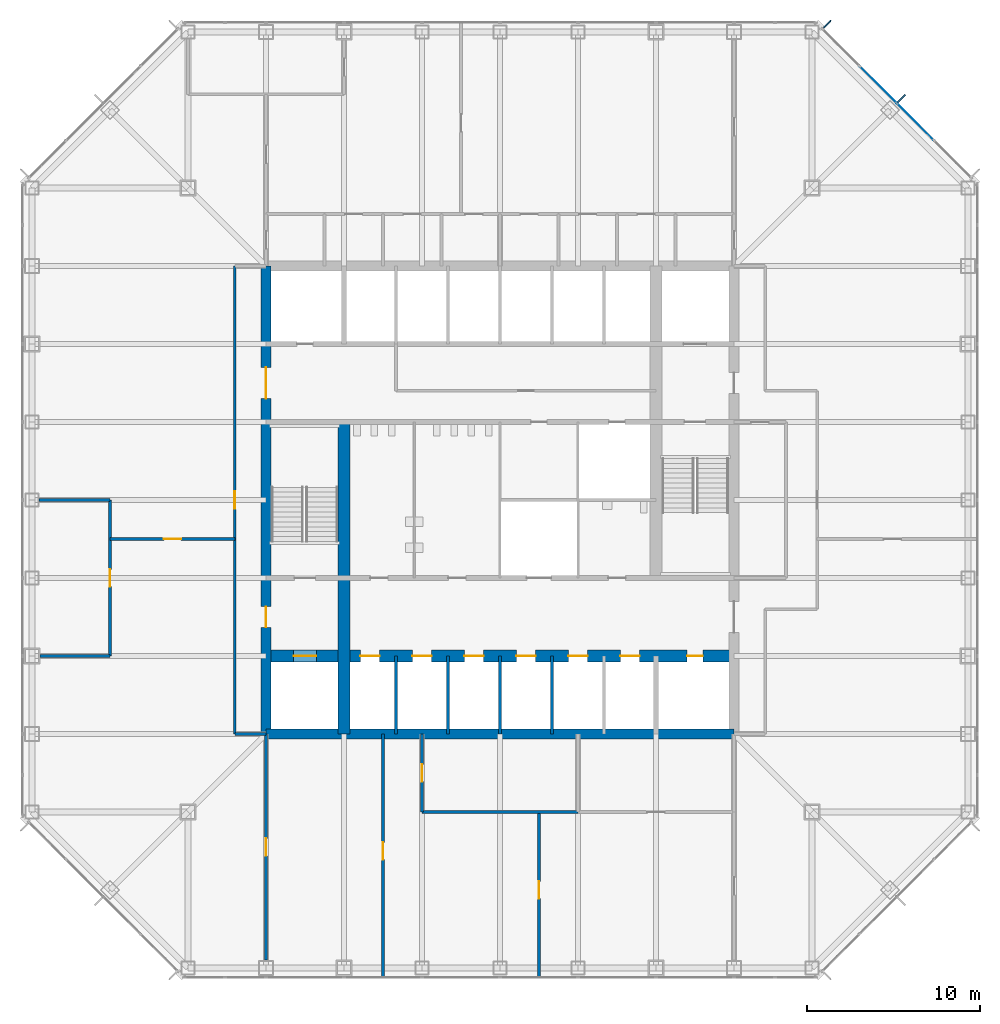
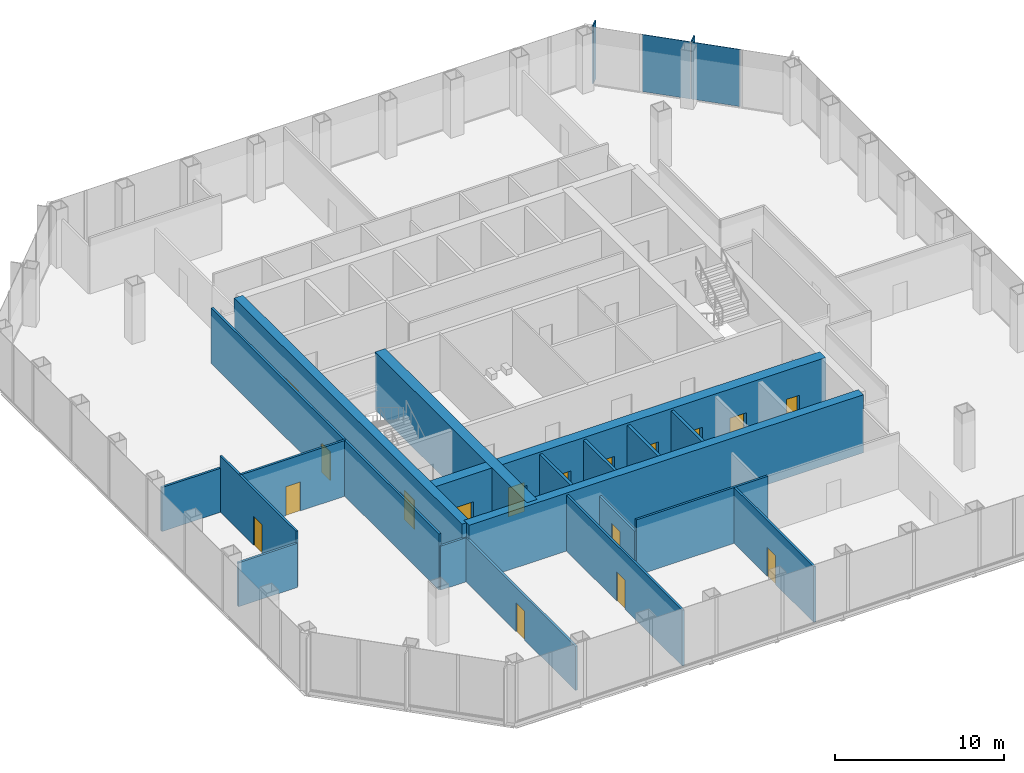
# One storey, part 8 of 13: 19 walls, 17 doors, 4 plates, 17 openings, 1 element without a shape of its own.
"""IFC4 building model written with IfcOpenShell, lengths in metres."""

from ifc_helpers import new_model, si_unit, direction, frame, frame_2d, origin, origin_2d, place, context, subcontext, project, spatial, rectangle, extrude, material, layer, layer_set, type_object, element, fill, aggregate, save


model = new_model("IFC4")

# Units and contexts
model_context = context("Model", 3, precision=1e-05, world=origin(), true_north=direction((0.0, 1.0)))
body_context = subcontext(model_context, "Body", "Model", "MODEL_VIEW")
ifc_project = project(units=[si_unit("LENGTHUNIT", "METRE"), si_unit("AREAUNIT", "SQUARE_METRE"), si_unit("VOLUMEUNIT", "CUBIC_METRE"), si_unit("PLANEANGLEUNIT", "RADIAN"), si_unit("MASSUNIT", "GRAM", prefix="KILO")], contexts=[model_context])

# Site, building, storey
site_placement = place(None, origin())
site = spatial("IfcSite", under=ifc_project, at=site_placement, CompositionType="ELEMENT")
building_placement = place(site_placement, origin())
building = spatial("IfcBuilding", under=site, at=building_placement, Name="Corais Broadcast Tower", CompositionType="ELEMENT")
storey_placement = place(building_placement, frame((0.0, 0.0, 66.800048828125)))
storey = spatial("IfcBuildingStorey", under=building, at=storey_placement, Name="L14", CompositionType="ELEMENT", Elevation=66.800048828125)

# Curtain wall, plates
ifc_material_1 = material(Name="Aluminium and glass", Category="aluminium")
curtain_wall_type = type_object("IfcCurtainWallType", Name="Unitised fritted curtain wall CW1", PredefinedType="NOTDEFINED", material=ifc_material_1)
curtain_wall_placement = place(storey_placement, origin())
curtain_wall = element("IfcCurtainWall", 1, at=curtain_wall_placement, inside=storey, type_object=curtain_wall_type, Name="CW1 curtain wall L14 5", PredefinedType="NOTDEFINED")
ifc_material_2 = material(Name="Ceramic-fritted laminated glass", Category="glass")
ifc_layer_1 = layer(ifc_material_2, 0.030029296875)
ifc_layer_set_1 = layer_set([ifc_layer_1], Name="Ceramic-fritted laminated glass")
plate_type_1 = type_object("IfcPlateType", Name="Fritted glass panel CW1", PredefinedType="CURTAIN_PANEL", material=ifc_layer_set_1)
plate_1_placement = place(storey_placement, frame((50.9658203125, 48.81201171875, 0.06494140625), z_axis=(0.0, 0.0, 1.0), x_axis=(0.707106781187, -0.707106781187, 0.0)))
plate_1 = element("IfcPlate", 2, at=plate_1_placement, type_object=plate_type_1, Name="CW1 panel 3", PredefinedType="CURTAIN_PANEL", context=body_context, shape_type="SweptSolid", body=[
    extrude(rectangle(XDim=2.98095703125, YDim=0.030029296875, at=origin_2d()), origin(), (0.0, 0.0, 1.0), 4.135009765625),
])
ifc_material_3 = material(Name="Clear laminated glass", Category="glass")
ifc_layer_2 = layer(ifc_material_3, 0.033935546875)
ifc_layer_set_2 = layer_set([ifc_layer_2], Name="Clear laminated glass")
plate_type_2 = type_object("IfcPlateType", Name="Operable glass panel CW1", PredefinedType="CURTAIN_PANEL", material=ifc_layer_set_2)
plate_2_placement = place(storey_placement, frame((48.81201171875, 50.9658203125, 0.06494140625), z_axis=(0.0, 0.0, 1.0), x_axis=(0.707106781187, -0.707106781187, 0.0)))
plate_2 = element("IfcPlate", 3, at=plate_2_placement, type_object=plate_type_2, Name="CW1 operable panel 2", PredefinedType="CURTAIN_PANEL", context=body_context, shape_type="SweptSolid", body=[
    extrude(rectangle(XDim=2.98095703125, YDim=0.033935546875, at=origin_2d()), origin(), (0.0, 0.0, 1.0), 4.135009765625),
])
aggregate(curtain_wall, [plate_2, plate_1])

# Plates
ifc_material_4 = material(Name="Granite stone cladding", Category="masonry")
ifc_layer_3 = layer(ifc_material_4, 0.080078125)
ifc_layer_set_3 = layer_set([ifc_layer_3], Name="Granite stone cladding")
plate_type_3 = type_object("IfcPlateType", Name="Stone screen fin 80x600", PredefinedType="USERDEFINED", material=ifc_layer_set_3)
for number, where, z_axis, x_axis, name in (
    (4, (45.885009765625, 54.4541015625, 0.0), (0.0, 0.0, 1.0), (0.707106781187, -0.707106781187, 0.0), "SF1 stone screen fin L14"),
    (5, (50.169677734375, 50.169677734375, 0.0), (0.0, 0.0, 1.0), (0.707106781187, -0.707106781187, 0.0), "SF1 stone screen fin L14"),
):
    element("IfcPlate", number, at=place(storey_placement, frame(where, z_axis=z_axis, x_axis=x_axis)), inside=storey, type_object=plate_type_3, Name=name, ObjectType="STONE SCREEN FIN", PredefinedType="USERDEFINED", context=body_context, shape_type="SweptSolid", body=[
        extrude(rectangle(XDim=0.080078125, YDim=0.60009765625, at=origin_2d()), origin(), (0.0, 0.0, 1.0), 4.199951171875),
    ])

# Wall
ifc_material_5 = material(Name="Concrete C50/60", Category="concrete")
ifc_layer_4 = layer(ifc_material_5, 0.699951171875)
ifc_layer_set_4 = layer_set([ifc_layer_4], Name="Concrete C50/60")
wall_type_1 = type_object("IfcWallType", Name="Core spine wall 700", PredefinedType="SHEAR", material=ifc_layer_set_4)
wall_1_placement = place(storey_placement, frame((18.0, 13.5, 0.0), z_axis=(0.0, 0.0, 1.0), x_axis=(0.0, 1.0, 0.0)))
element("IfcWall", 6, at=wall_1_placement, inside=storey, type_object=wall_type_1, Name="CR700 core wall X18A L14", PredefinedType="SHEAR", context=body_context, shape_type="SweptSolid", body=[
    extrude(rectangle(XDim=18.0, YDim=0.699951171875, at=frame_2d((9.0, 0.0))), origin(), (0.0, 0.0, 1.0), 4.199951171875),
])

# Wall, openings, doors
wall_2_placement = place(storey_placement, frame((13.5, 18.0, 0.0), z_axis=(0.0, 0.0, 1.0), x_axis=(1.0, 0.0, 0.0)))
wall_2 = element("IfcWall", 7, at=wall_2_placement, inside=storey, type_object=wall_type_1, Name="CR700 core wall Y18 L14", PredefinedType="SHEAR", context=body_context, shape_type="SweptSolid", body=[
    extrude(rectangle(XDim=27.0, YDim=0.699951171875, at=frame_2d((13.5, 0.0))), origin(), (0.0, 0.0, 1.0), 4.199951171875),
])
opening_1_placement = place(wall_2_placement, frame((24.300048828125, 0.0, 0.0)))
opening_1 = element("IfcOpeningElement", 8, at=opening_1_placement, cuts=wall_2, Name="Opening RD1", PredefinedType="OPENING", context=body_context, shape_type="SweptSolid", body=[
    extrude(rectangle(XDim=0.89990234375, YDim=2.10009765625, at=frame_2d((0.449951171875, 1.050048828125))), frame((0.0, 0.35986328125, 0.0), z_axis=(0.0, -1.0, 0.0), x_axis=(1.0, 0.0, 0.0)), (0.0, 0.0, 1.0), 0.719970703125),
])
opening_2_placement = place(wall_2_placement, frame((5.449951171875, 0.0, 0.0)))
opening_2 = element("IfcOpeningElement", 9, at=opening_2_placement, cuts=wall_2, Name="Opening LD1", PredefinedType="OPENING", context=body_context, shape_type="SweptSolid", body=[
    extrude(rectangle(XDim=1.10009765625, YDim=2.10009765625, at=frame_2d((0.550048828125, 1.050048828125))), frame((0.0, 0.35986328125, 0.0), z_axis=(0.0, -1.0, 0.0), x_axis=(1.0, 0.0, 0.0)), (0.0, 0.0, 1.0), 0.719970703125),
])
opening_3_placement = place(wall_2_placement, frame((8.449951171875, 0.0, 0.0)))
opening_3 = element("IfcOpeningElement", 10, at=opening_3_placement, cuts=wall_2, Name="Opening LD1", PredefinedType="OPENING", context=body_context, shape_type="SweptSolid", body=[
    extrude(rectangle(XDim=1.10009765625, YDim=2.10009765625, at=frame_2d((0.550048828125, 1.050048828125))), frame((0.0, 0.35986328125, 0.0), z_axis=(0.0, -1.0, 0.0), x_axis=(1.0, 0.0, 0.0)), (0.0, 0.0, 1.0), 0.719970703125),
])
opening_4_placement = place(wall_2_placement, frame((11.449951171875, 0.0, 0.0)))
opening_4 = element("IfcOpeningElement", 11, at=opening_4_placement, cuts=wall_2, Name="Opening LD1", PredefinedType="OPENING", context=body_context, shape_type="SweptSolid", body=[
    extrude(rectangle(XDim=1.10009765625, YDim=2.10009765625, at=frame_2d((0.550048828125, 1.050048828125))), frame((0.0, 0.35986328125, 0.0), z_axis=(0.0, -1.0, 0.0), x_axis=(1.0, 0.0, 0.0)), (0.0, 0.0, 1.0), 0.719970703125),
])
opening_5_placement = place(wall_2_placement, frame((14.449951171875, 0.0, 0.0)))
opening_5 = element("IfcOpeningElement", 12, at=opening_5_placement, cuts=wall_2, Name="Opening LD1", PredefinedType="OPENING", context=body_context, shape_type="SweptSolid", body=[
    extrude(rectangle(XDim=1.10009765625, YDim=2.10009765625, at=frame_2d((0.550048828125, 1.050048828125))), frame((0.0, 0.35986328125, 0.0), z_axis=(0.0, -1.0, 0.0), x_axis=(1.0, 0.0, 0.0)), (0.0, 0.0, 1.0), 0.719970703125),
])
opening_6_placement = place(wall_2_placement, frame((17.449951171875, 0.0, 0.0)))
opening_6 = element("IfcOpeningElement", 13, at=opening_6_placement, cuts=wall_2, Name="Opening LD1", PredefinedType="OPENING", context=body_context, shape_type="SweptSolid", body=[
    extrude(rectangle(XDim=1.10009765625, YDim=2.10009765625, at=frame_2d((0.550048828125, 1.050048828125))), frame((0.0, 0.35986328125, 0.0), z_axis=(0.0, -1.0, 0.0), x_axis=(1.0, 0.0, 0.0)), (0.0, 0.0, 1.0), 0.719970703125),
])
opening_7_placement = place(wall_2_placement, frame((20.449951171875, 0.0, 0.0)))
opening_7 = element("IfcOpeningElement", 14, at=opening_7_placement, cuts=wall_2, Name="Opening LD1", PredefinedType="OPENING", context=body_context, shape_type="SweptSolid", body=[
    extrude(rectangle(XDim=1.10009765625, YDim=2.10009765625, at=frame_2d((0.550048828125, 1.050048828125))), frame((0.0, 0.35986328125, 0.0), z_axis=(0.0, -1.0, 0.0), x_axis=(1.0, 0.0, 0.0)), (0.0, 0.0, 1.0), 0.719970703125),
])
opening_8_placement = place(wall_2_placement, frame((1.60009765625, 0.0, 0.0)))
opening_8 = element("IfcOpeningElement", 15, at=opening_8_placement, cuts=wall_2, Name="Opening LD2", PredefinedType="OPENING", context=body_context, shape_type="SweptSolid", body=[
    extrude(rectangle(XDim=1.300048828125, YDim=2.199951171875, at=frame_2d((0.64990234375, 1.10009765625))), frame((0.0, 0.35986328125, 0.0), z_axis=(0.0, -1.0, 0.0), x_axis=(1.0, 0.0, 0.0)), (0.0, 0.0, 1.0), 0.719970703125),
])
ifc_material_6 = material(Name="Stainless steel lift door", Category="steel")
door_type_1 = type_object("IfcDoorType", Name="Lift landing door 1100x2100", OperationType="SLIDING_TO_LEFT", PredefinedType="DOOR", material=ifc_material_6)
door_1_placement = place(opening_2_placement, origin())
door_1 = element("IfcDoor", 16, at=door_1_placement, inside=storey, type_object=door_type_1, Name="LD1 PL1 landing door L14", OperationType="SLIDING_TO_LEFT", OverallHeight=2.10009765625, OverallWidth=1.10009765625, PredefinedType="DOOR", context=body_context, shape_type="SweptSolid", body=[
    extrude(rectangle(XDim=1.10009765625, YDim=2.10009765625, at=frame_2d((0.550048828125, 1.050048828125))), frame((0.0, 0.02490234375, 0.0), z_axis=(0.0, -1.0, 0.0), x_axis=(1.0, 0.0, 0.0)), (0.0, 0.0, 1.0), 0.050048828125),
])
fill(opening_2, door_1)
door_2_placement = place(opening_3_placement, origin())
door_2 = element("IfcDoor", 17, at=door_2_placement, inside=storey, type_object=door_type_1, Name="LD1 PL2 landing door L14", OperationType="SLIDING_TO_LEFT", OverallHeight=2.10009765625, OverallWidth=1.10009765625, PredefinedType="DOOR", context=body_context, shape_type="SweptSolid", body=[
    extrude(rectangle(XDim=1.10009765625, YDim=2.10009765625, at=frame_2d((0.550048828125, 1.050048828125))), frame((0.0, 0.02490234375, 0.0), z_axis=(0.0, -1.0, 0.0), x_axis=(1.0, 0.0, 0.0)), (0.0, 0.0, 1.0), 0.050048828125),
])
fill(opening_3, door_2)
door_3_placement = place(opening_4_placement, origin())
door_3 = element("IfcDoor", 18, at=door_3_placement, inside=storey, type_object=door_type_1, Name="LD1 PL3 landing door L14", OperationType="SLIDING_TO_LEFT", OverallHeight=2.10009765625, OverallWidth=1.10009765625, PredefinedType="DOOR", context=body_context, shape_type="SweptSolid", body=[
    extrude(rectangle(XDim=1.10009765625, YDim=2.10009765625, at=frame_2d((0.550048828125, 1.050048828125))), frame((0.0, 0.02490234375, 0.0), z_axis=(0.0, -1.0, 0.0), x_axis=(1.0, 0.0, 0.0)), (0.0, 0.0, 1.0), 0.050048828125),
])
fill(opening_4, door_3)
door_4_placement = place(opening_5_placement, origin())
door_4 = element("IfcDoor", 19, at=door_4_placement, inside=storey, type_object=door_type_1, Name="LD1 PL4 landing door L14", OperationType="SLIDING_TO_LEFT", OverallHeight=2.10009765625, OverallWidth=1.10009765625, PredefinedType="DOOR", context=body_context, shape_type="SweptSolid", body=[
    extrude(rectangle(XDim=1.10009765625, YDim=2.10009765625, at=frame_2d((0.550048828125, 1.050048828125))), frame((0.0, 0.02490234375, 0.0), z_axis=(0.0, -1.0, 0.0), x_axis=(1.0, 0.0, 0.0)), (0.0, 0.0, 1.0), 0.050048828125),
])
fill(opening_5, door_4)
door_5_placement = place(opening_6_placement, origin())
door_5 = element("IfcDoor", 20, at=door_5_placement, inside=storey, type_object=door_type_1, Name="LD1 PL5 landing door L14", OperationType="SLIDING_TO_LEFT", OverallHeight=2.10009765625, OverallWidth=1.10009765625, PredefinedType="DOOR", context=body_context, shape_type="SweptSolid", body=[
    extrude(rectangle(XDim=1.10009765625, YDim=2.10009765625, at=frame_2d((0.550048828125, 1.050048828125))), frame((0.0, 0.02490234375, 0.0), z_axis=(0.0, -1.0, 0.0), x_axis=(1.0, 0.0, 0.0)), (0.0, 0.0, 1.0), 0.050048828125),
])
fill(opening_6, door_5)
door_6_placement = place(opening_7_placement, origin())
door_6 = element("IfcDoor", 21, at=door_6_placement, inside=storey, type_object=door_type_1, Name="LD1 PL6 landing door L14", OperationType="SLIDING_TO_LEFT", OverallHeight=2.10009765625, OverallWidth=1.10009765625, PredefinedType="DOOR", context=body_context, shape_type="SweptSolid", body=[
    extrude(rectangle(XDim=1.10009765625, YDim=2.10009765625, at=frame_2d((0.550048828125, 1.050048828125))), frame((0.0, 0.02490234375, 0.0), z_axis=(0.0, -1.0, 0.0), x_axis=(1.0, 0.0, 0.0)), (0.0, 0.0, 1.0), 0.050048828125),
])
fill(opening_7, door_6)
ifc_material_7 = material(Name="Stainless steel lift door", Category="steel")
door_type_2 = type_object("IfcDoorType", Name="Lift landing door 1300x2200", OperationType="SLIDING_TO_LEFT", PredefinedType="DOOR", material=ifc_material_7)
door_7_placement = place(opening_8_placement, origin())
door_7 = element("IfcDoor", 22, at=door_7_placement, inside=storey, type_object=door_type_2, Name="LD2 FL1 landing door L14", OperationType="SLIDING_TO_LEFT", OverallHeight=2.199951171875, OverallWidth=1.300048828125, PredefinedType="DOOR", context=body_context, shape_type="SweptSolid", body=[
    extrude(rectangle(XDim=1.300048828125, YDim=2.199951171875, at=frame_2d((0.64990234375, 1.10009765625))), frame((0.0, 0.02490234375, 0.0), z_axis=(0.0, -1.0, 0.0), x_axis=(1.0, 0.0, 0.0)), (0.0, 0.0, 1.0), 0.050048828125),
])
fill(opening_8, door_7)
ifc_material_8 = material(Name="Steel fire door", Category="steel")
door_type_3 = type_object("IfcDoorType", Name="Riser door 900x2100", OperationType="SINGLE_SWING_LEFT", PredefinedType="DOOR", material=ifc_material_8)
door_8_placement = place(opening_1_placement, origin())
door_8 = element("IfcDoor", 23, at=door_8_placement, inside=storey, type_object=door_type_3, Name="RD1 riser door L14", OperationType="SINGLE_SWING_RIGHT", OverallHeight=2.10009765625, OverallWidth=0.89990234375, PredefinedType="DOOR", context=body_context, shape_type="SweptSolid", body=[
    extrude(rectangle(XDim=0.89990234375, YDim=2.10009765625, at=frame_2d((0.449951171875, 1.050048828125))), frame((0.0, 0.02490234375, 0.0), z_axis=(0.0, -1.0, 0.0), x_axis=(1.0, 0.0, 0.0)), (0.0, 0.0, 1.0), 0.050048828125),
])
fill(opening_1, door_8)

# Wall
ifc_material_9 = material(Name="Concrete C50/60", Category="concrete")
ifc_layer_5 = layer(ifc_material_9, 0.60009765625)
ifc_layer_set_5 = layer_set([ifc_layer_5], Name="Concrete C50/60")
wall_type_2 = type_object("IfcWallType", Name="Core wall 600", PredefinedType="SHEAR", material=ifc_layer_set_5)
wall_3_placement = place(storey_placement, frame((13.5, 13.5, 0.0), z_axis=(0.0, 0.0, 1.0), x_axis=(1.0, 0.0, 0.0)))
element("IfcWall", 24, at=wall_3_placement, inside=storey, type_object=wall_type_2, Name="CR600 core wall S L14", PredefinedType="SHEAR", context=body_context, shape_type="SweptSolid", body=[
    extrude(rectangle(XDim=27.0, YDim=0.60009765625, at=frame_2d((13.5, 0.0))), origin(), (0.0, 0.0, 1.0), 4.199951171875),
])

# Wall, openings, doors
wall_4_placement = place(storey_placement, frame((13.5, 40.5, 0.0), z_axis=(0.0, 0.0, 1.0), x_axis=(0.0, -1.0, 0.0)))
wall_4 = element("IfcWall", 25, at=wall_4_placement, inside=storey, type_object=wall_type_2, Name="CR600 core wall W L14", PredefinedType="SHEAR", context=body_context, shape_type="SweptSolid", body=[
    extrude(rectangle(XDim=27.0, YDim=0.60009765625, at=frame_2d((13.5, 0.0))), origin(), (0.0, 0.0, 1.0), 4.199951171875),
])
opening_9_placement = place(wall_4_placement, frame((19.64990234375, 0.0, 0.0)))
opening_9 = element("IfcOpeningElement", 26, at=opening_9_placement, cuts=wall_4, Name="Opening FD1", PredefinedType="OPENING", context=body_context, shape_type="SweptSolid", body=[
    extrude(rectangle(XDim=1.199951171875, YDim=2.10009765625, at=frame_2d((0.60009765625, 1.050048828125))), frame((0.0, 0.31005859375, 0.0), z_axis=(0.0, -1.0, 0.0), x_axis=(1.0, 0.0, 0.0)), (0.0, 0.0, 1.0), 0.6201171875),
])
opening_10_placement = place(wall_4_placement, frame((5.85009765625, 0.0, 0.0)))
opening_10 = element("IfcOpeningElement", 27, at=opening_10_placement, cuts=wall_4, Name="Opening FD2", PredefinedType="OPENING", context=body_context, shape_type="SweptSolid", body=[
    extrude(rectangle(XDim=1.800048828125, YDim=2.10009765625, at=frame_2d((0.89990234375, 1.050048828125))), frame((0.0, 0.31005859375, 0.0), z_axis=(0.0, -1.0, 0.0), x_axis=(1.0, 0.0, 0.0)), (0.0, 0.0, 1.0), 0.6201171875),
])
ifc_material_10 = material(Name="Steel fire door", Category="steel")
door_type_4 = type_object("IfcDoorType", Name="Fire door 1200x2100", OperationType="SINGLE_SWING_LEFT", PredefinedType="DOOR", material=ifc_material_10)
door_9_placement = place(opening_9_placement, origin())
door_9 = element("IfcDoor", 28, at=door_9_placement, inside=storey, type_object=door_type_4, Name="FD1 fire lobby A door L14", OperationType="SINGLE_SWING_RIGHT", OverallHeight=2.10009765625, OverallWidth=1.199951171875, PredefinedType="DOOR", context=body_context, shape_type="SweptSolid", body=[
    extrude(rectangle(XDim=1.199951171875, YDim=2.10009765625, at=frame_2d((0.60009765625, 1.050048828125))), frame((0.0, 0.02490234375, 0.0), z_axis=(0.0, -1.0, 0.0), x_axis=(1.0, 0.0, 0.0)), (0.0, 0.0, 1.0), 0.050048828125),
])
fill(opening_9, door_9)
ifc_material_11 = material(Name="Steel fire door", Category="steel")
door_type_5 = type_object("IfcDoorType", Name="Fire door pair 1800x2100", OperationType="DOUBLE_DOOR_SINGLE_SWING", PredefinedType="DOOR", material=ifc_material_11)
door_10_placement = place(opening_10_placement, origin())
door_10 = element("IfcDoor", 29, at=door_10_placement, inside=storey, type_object=door_type_5, Name="FD2 lift lobby door L14", OperationType="SINGLE_SWING_LEFT", OverallHeight=2.10009765625, OverallWidth=1.800048828125, PredefinedType="DOOR", context=body_context, shape_type="SweptSolid", body=[
    extrude(rectangle(XDim=1.800048828125, YDim=2.10009765625, at=frame_2d((0.89990234375, 1.050048828125))), frame((0.0, 0.02490234375, 0.0), z_axis=(0.0, -1.0, 0.0), x_axis=(1.0, 0.0, 0.0)), (0.0, 0.0, 1.0), 0.050048828125),
])
fill(opening_10, door_10)

# Wall, opening, door
ifc_material_12 = material(Name="Gypsum board on steel studs", Category="steel")
ifc_layer_6 = layer(ifc_material_12, 0.14990234375)
ifc_layer_set_6 = layer_set([ifc_layer_6], Name="Gypsum board on steel studs")
wall_type_3 = type_object("IfcWallType", Name="Partition 150", PredefinedType="PARTITIONING", material=ifc_layer_set_6)
wall_5_placement = place(storey_placement, frame((11.699951171875, 40.5, 0.0), z_axis=(0.0, 0.0, 1.0), x_axis=(0.0, -1.0, 0.0)))
wall_5 = element("IfcWall", 30, at=wall_5_placement, inside=storey, type_object=wall_type_3, Name="IW3 corridor wall L14", PredefinedType="PARTITIONING", context=body_context, shape_type="SweptSolid", body=[
    extrude(rectangle(XDim=27.0, YDim=0.14990234375, at=frame_2d((13.5, 0.0))), origin(), (0.0, 0.0, 1.0), 4.0400390625),
])
opening_11_placement = place(wall_5_placement, frame((13.0, 0.0, 0.0)))
opening_11 = element("IfcOpeningElement", 31, at=opening_11_placement, cuts=wall_5, Name="Opening D1", PredefinedType="OPENING", context=body_context, shape_type="SweptSolid", body=[
    extrude(rectangle(XDim=1.0, YDim=2.10009765625, at=frame_2d((0.5, 1.050048828125))), frame((0.0, 0.0849609375, 0.0), z_axis=(0.0, -1.0, 0.0), x_axis=(1.0, 0.0, 0.0)), (0.0, 0.0, 1.0), 0.169921875),
])
ifc_material_13 = material(Name="Timber door", Category="wood")
door_type_6 = type_object("IfcDoorType", Name="Single door 1000x2100", OperationType="SINGLE_SWING_LEFT", PredefinedType="DOOR", material=ifc_material_13)
door_11_placement = place(opening_11_placement, origin())
door_11 = element("IfcDoor", 32, at=door_11_placement, inside=storey, type_object=door_type_6, Name="D1 workplace door L14", OperationType="SINGLE_SWING_LEFT", OverallHeight=2.10009765625, OverallWidth=1.0, PredefinedType="DOOR", context=body_context, shape_type="SweptSolid", body=[
    extrude(rectangle(XDim=1.0, YDim=2.10009765625, at=frame_2d((0.5, 1.050048828125))), frame((0.0, 0.02490234375, 0.0), z_axis=(0.0, -1.0, 0.0), x_axis=(1.0, 0.0, 0.0)), (0.0, 0.0, 1.0), 0.050048828125),
])
fill(opening_11, door_11)

# Walls
wall_6_placement = place(storey_placement, frame((11.699951171875, 13.5, 0.0), z_axis=(0.0, 0.0, 1.0), x_axis=(1.0, 0.0, 0.0)))
element("IfcWall", 33, at=wall_6_placement, inside=storey, type_object=wall_type_3, Name="IW3 corridor wall L14", PredefinedType="PARTITIONING", context=body_context, shape_type="SweptSolid", body=[
    extrude(rectangle(XDim=1.81005859375, YDim=0.14990234375, at=frame_2d((0.905029296875, 0.0))), origin(), (0.0, 0.0, 1.0), 3.18896484375),
])
wall_7_placement = place(storey_placement, frame((22.5, 9.0, 0.0), z_axis=(0.0, 0.0, 1.0), x_axis=(1.0, 0.0, 0.0)))
element("IfcWall", 34, at=wall_7_placement, inside=storey, type_object=wall_type_3, Name="IW3 partition L14", PredefinedType="PARTITIONING", context=body_context, shape_type="SweptSolid", body=[
    extrude(rectangle(XDim=9.0, YDim=0.14990234375, at=frame_2d((4.5, 0.0))), origin(), (0.0, 0.0, 1.0), 4.0400390625),
])

# Wall, opening, door
wall_8_placement = place(storey_placement, frame((22.5, 13.5, 0.0), z_axis=(0.0, 0.0, 1.0), x_axis=(0.0, -1.0, 0.0)))
wall_8 = element("IfcWall", 35, at=wall_8_placement, inside=storey, type_object=wall_type_3, Name="IW3 partition L14", PredefinedType="PARTITIONING", context=body_context, shape_type="SweptSolid", body=[
    extrude(rectangle(XDim=4.5, YDim=0.14990234375, at=frame_2d((2.25, 0.0))), origin(), (0.0, 0.0, 1.0), 3.18896484375),
])
opening_12_placement = place(wall_8_placement, frame((1.75, 0.0, 0.0)))
opening_12 = element("IfcOpeningElement", 36, at=opening_12_placement, cuts=wall_8, Name="Opening D1", PredefinedType="OPENING", context=body_context, shape_type="SweptSolid", body=[
    extrude(rectangle(XDim=1.0, YDim=2.10009765625, at=frame_2d((0.5, 1.050048828125))), frame((0.0, 0.0849609375, 0.0), z_axis=(0.0, -1.0, 0.0), x_axis=(1.0, 0.0, 0.0)), (0.0, 0.0, 1.0), 0.169921875),
])
door_12_placement = place(opening_12_placement, origin())
door_12 = element("IfcDoor", 37, at=door_12_placement, inside=storey, type_object=door_type_6, Name="D1 Radio producer office door", OperationType="SINGLE_SWING_LEFT", OverallHeight=2.10009765625, OverallWidth=1.0, PredefinedType="DOOR", context=body_context, shape_type="SweptSolid", body=[
    extrude(rectangle(XDim=1.0, YDim=2.10009765625, at=frame_2d((0.5, 1.050048828125))), frame((0.0, 0.02490234375, 0.0), z_axis=(0.0, -1.0, 0.0), x_axis=(1.0, 0.0, 0.0)), (0.0, 0.0, 1.0), 0.050048828125),
])
fill(opening_12, door_12)

# Wall
wall_9_placement = place(storey_placement, frame((0.4599609375, 18.0, 0.0), z_axis=(0.0, 0.0, 1.0), x_axis=(1.0, 0.0, 0.0)))
element("IfcWall", 38, at=wall_9_placement, inside=storey, type_object=wall_type_3, Name="IW3 partition L14", PredefinedType="PARTITIONING", context=body_context, shape_type="SweptSolid", body=[
    extrude(rectangle(XDim=4.0400390625, YDim=0.14990234375, at=frame_2d((2.02001953125, 0.0))), origin(), (0.0, 0.0, 1.0), 3.18896484375),
])

# Wall, opening, door
wall_10_placement = place(storey_placement, frame((4.5, 18.0, 0.0), z_axis=(0.0, 0.0, 1.0), x_axis=(0.0, 1.0, 0.0)))
wall_10 = element("IfcWall", 39, at=wall_10_placement, inside=storey, type_object=wall_type_3, Name="IW3 partition L14", PredefinedType="PARTITIONING", context=body_context, shape_type="SweptSolid", body=[
    extrude(rectangle(XDim=9.0, YDim=0.14990234375, at=frame_2d((4.5, 0.0))), origin(), (0.0, 0.0, 1.0), 4.0400390625),
])
opening_13_placement = place(wall_10_placement, frame((4.0, 0.0, 0.0)))
opening_13 = element("IfcOpeningElement", 40, at=opening_13_placement, cuts=wall_10, Name="Opening D1", PredefinedType="OPENING", context=body_context, shape_type="SweptSolid", body=[
    extrude(rectangle(XDim=1.0, YDim=2.10009765625, at=frame_2d((0.5, 1.050048828125))), frame((0.0, 0.0849609375, 0.0), z_axis=(0.0, -1.0, 0.0), x_axis=(1.0, 0.0, 0.0)), (0.0, 0.0, 1.0), 0.169921875),
])
door_13_placement = place(opening_13_placement, origin())
door_13 = element("IfcDoor", 41, at=door_13_placement, inside=storey, type_object=door_type_6, Name="D1 Meeting room door", OperationType="SINGLE_SWING_LEFT", OverallHeight=2.10009765625, OverallWidth=1.0, PredefinedType="DOOR", context=body_context, shape_type="SweptSolid", body=[
    extrude(rectangle(XDim=1.0, YDim=2.10009765625, at=frame_2d((0.5, 1.050048828125))), frame((0.0, 0.02490234375, 0.0), z_axis=(0.0, -1.0, 0.0), x_axis=(1.0, 0.0, 0.0)), (0.0, 0.0, 1.0), 0.050048828125),
])
fill(opening_13, door_13)

# Wall
wall_11_placement = place(storey_placement, frame((4.5, 27.0, 0.0), z_axis=(0.0, 0.0, 1.0), x_axis=(-1.0, 0.0, 0.0)))
element("IfcWall", 42, at=wall_11_placement, inside=storey, type_object=wall_type_3, Name="IW3 partition L14", PredefinedType="PARTITIONING", context=body_context, shape_type="SweptSolid", body=[
    extrude(rectangle(XDim=4.090087890625, YDim=0.14990234375, at=frame_2d((2.044921875, 0.0))), origin(), (0.0, 0.0, 1.0), 3.18896484375),
])

# Wall, opening, door
wall_12_placement = place(storey_placement, frame((29.25, -0.52001953125, 0.0), z_axis=(0.0, 0.0, 1.0), x_axis=(0.0, 1.0, 0.0)))
wall_12 = element("IfcWall", 43, at=wall_12_placement, inside=storey, type_object=wall_type_3, Name="IW3 partition L14", PredefinedType="PARTITIONING", context=body_context, shape_type="SweptSolid", body=[
    extrude(rectangle(XDim=9.52001953125, YDim=0.14990234375, at=frame_2d((4.760009765625, 0.0))), origin(), (0.0, 0.0, 1.0), 4.0400390625),
])
opening_14_placement = place(wall_12_placement, frame((4.52001953125, 0.0, 0.0)))
opening_14 = element("IfcOpeningElement", 44, at=opening_14_placement, cuts=wall_12, Name="Opening D1", PredefinedType="OPENING", context=body_context, shape_type="SweptSolid", body=[
    extrude(rectangle(XDim=1.0, YDim=2.10009765625, at=frame_2d((0.5, 1.050048828125))), frame((0.0, 0.0849609375, 0.0), z_axis=(0.0, -1.0, 0.0), x_axis=(1.0, 0.0, 0.0)), (0.0, 0.0, 1.0), 0.169921875),
])
door_14_placement = place(opening_14_placement, origin())
door_14 = element("IfcDoor", 45, at=door_14_placement, inside=storey, type_object=door_type_6, Name="D1 team room door L14", OperationType="SINGLE_SWING_RIGHT", OverallHeight=2.10009765625, OverallWidth=1.0, PredefinedType="DOOR", context=body_context, shape_type="SweptSolid", body=[
    extrude(rectangle(XDim=1.0, YDim=2.10009765625, at=frame_2d((0.5, 1.050048828125))), frame((0.0, 0.02490234375, 0.0), z_axis=(0.0, -1.0, 0.0), x_axis=(1.0, 0.0, 0.0)), (0.0, 0.0, 1.0), 0.050048828125),
])
fill(opening_14, door_14)

wall_13_placement = place(storey_placement, frame((11.699951171875, 24.75, 0.0), z_axis=(0.0, 0.0, 1.0), x_axis=(-1.0, 0.0, 0.0)))
wall_13 = element("IfcWall", 46, at=wall_13_placement, inside=storey, type_object=wall_type_3, Name="IW3 partition L14", PredefinedType="PARTITIONING", context=body_context, shape_type="SweptSolid", body=[
    extrude(rectangle(XDim=7.199951171875, YDim=0.14990234375, at=frame_2d((3.60009765625, 0.0))), origin(), (0.0, 0.0, 1.0), 4.0400390625),
])
opening_15_placement = place(wall_13_placement, frame((3.10009765625, 0.0, 0.0)))
opening_15 = element("IfcOpeningElement", 47, at=opening_15_placement, cuts=wall_13, Name="Opening D1", PredefinedType="OPENING", context=body_context, shape_type="SweptSolid", body=[
    extrude(rectangle(XDim=1.0, YDim=2.10009765625, at=frame_2d((0.5, 1.050048828125))), frame((0.0, 0.0849609375, 0.0), z_axis=(0.0, -1.0, 0.0), x_axis=(1.0, 0.0, 0.0)), (0.0, 0.0, 1.0), 0.169921875),
])
door_15_placement = place(opening_15_placement, origin())
door_15 = element("IfcDoor", 48, at=door_15_placement, inside=storey, type_object=door_type_6, Name="D1 team room door L14", OperationType="SINGLE_SWING_LEFT", OverallHeight=2.10009765625, OverallWidth=1.0, PredefinedType="DOOR", context=body_context, shape_type="SweptSolid", body=[
    extrude(rectangle(XDim=1.0, YDim=2.10009765625, at=frame_2d((0.5, 1.050048828125))), frame((0.0, 0.02490234375, 0.0), z_axis=(0.0, -1.0, 0.0), x_axis=(1.0, 0.0, 0.0)), (0.0, 0.0, 1.0), 0.050048828125),
])
fill(opening_15, door_15)

wall_14_placement = place(storey_placement, frame((20.25, 13.5, 0.0), z_axis=(0.0, 0.0, 1.0), x_axis=(0.0, -1.0, 0.0)))
wall_14 = element("IfcWall", 49, at=wall_14_placement, inside=storey, type_object=wall_type_3, Name="IW3 partition L14", PredefinedType="PARTITIONING", context=body_context, shape_type="SweptSolid", body=[
    extrude(rectangle(XDim=14.02001953125, YDim=0.14990234375, at=frame_2d((7.010009765625, 0.0))), origin(), (0.0, 0.0, 1.0), 4.0400390625),
])
opening_16_placement = place(wall_14_placement, frame((6.25, 0.0, 0.0)))
opening_16 = element("IfcOpeningElement", 50, at=opening_16_placement, cuts=wall_14, Name="Opening D1", PredefinedType="OPENING", context=body_context, shape_type="SweptSolid", body=[
    extrude(rectangle(XDim=1.0, YDim=2.10009765625, at=frame_2d((0.5, 1.050048828125))), frame((0.0, 0.0849609375, 0.0), z_axis=(0.0, -1.0, 0.0), x_axis=(1.0, 0.0, 0.0)), (0.0, 0.0, 1.0), 0.169921875),
])
door_16_placement = place(opening_16_placement, origin())
door_16 = element("IfcDoor", 51, at=door_16_placement, inside=storey, type_object=door_type_6, Name="D1 team room door L14", OperationType="SINGLE_SWING_LEFT", OverallHeight=2.10009765625, OverallWidth=1.0, PredefinedType="DOOR", context=body_context, shape_type="SweptSolid", body=[
    extrude(rectangle(XDim=1.0, YDim=2.10009765625, at=frame_2d((0.5, 1.050048828125))), frame((0.0, 0.02490234375, 0.0), z_axis=(0.0, -1.0, 0.0), x_axis=(1.0, 0.0, 0.0)), (0.0, 0.0, 1.0), 0.050048828125),
])
fill(opening_16, door_16)

wall_15_placement = place(storey_placement, frame((13.5, 0.445068359375, 0.0), z_axis=(0.0, 0.0, 1.0), x_axis=(0.0, 1.0, 0.0)))
wall_15 = element("IfcWall", 52, at=wall_15_placement, inside=storey, type_object=wall_type_3, Name="IW3 partition L14", PredefinedType="PARTITIONING", context=body_context, shape_type="SweptSolid", body=[
    extrude(rectangle(XDim=13.054931640625, YDim=0.14990234375, at=frame_2d((6.52734375, 0.0))), origin(), (0.0, 0.0, 1.0), 3.18896484375),
])
opening_17_placement = place(wall_15_placement, frame((6.027587890625, 0.0, 0.0)))
opening_17 = element("IfcOpeningElement", 53, at=opening_17_placement, cuts=wall_15, Name="Opening D1", PredefinedType="OPENING", context=body_context, shape_type="SweptSolid", body=[
    extrude(rectangle(XDim=1.0, YDim=2.10009765625, at=frame_2d((0.5, 1.050048828125))), frame((0.0, 0.0849609375, 0.0), z_axis=(0.0, -1.0, 0.0), x_axis=(1.0, 0.0, 0.0)), (0.0, 0.0, 1.0), 0.169921875),
])
door_17_placement = place(opening_17_placement, origin())
door_17 = element("IfcDoor", 54, at=door_17_placement, inside=storey, type_object=door_type_6, Name="D1 team room door L14", OperationType="SINGLE_SWING_LEFT", OverallHeight=2.10009765625, OverallWidth=1.0, PredefinedType="DOOR", context=body_context, shape_type="SweptSolid", body=[
    extrude(rectangle(XDim=1.0, YDim=2.10009765625, at=frame_2d((0.5, 1.050048828125))), frame((0.0, 0.02490234375, 0.0), z_axis=(0.0, -1.0, 0.0), x_axis=(1.0, 0.0, 0.0)), (0.0, 0.0, 1.0), 0.050048828125),
])
fill(opening_17, door_17)

# Walls
ifc_material_14 = material(Name="Concrete blockwork class A, grouted, two-hour", Category="masonry")
ifc_layer_7 = layer(ifc_material_14, 0.199951171875)
ifc_layer_set_7 = layer_set([ifc_layer_7], Name="Concrete blockwork class A, grouted, two-hour")
wall_type_4 = type_object("IfcWallType", Name="Shaft wall 200", PredefinedType="PARTITIONING", material=ifc_layer_set_7)
for number, where, z_axis, x_axis, name in (
    (55, (21.0, 13.5, 0.0), (0.0, 0.0, 1.0), (0.0, 1.0, 0.0), "IW1 shaft wall L14"),
    (56, (24.0, 13.5, 0.0), (0.0, 0.0, 1.0), (0.0, 1.0, 0.0), "IW1 shaft wall L14"),
    (57, (27.0, 13.5, 0.0), (0.0, 0.0, 1.0), (0.0, 1.0, 0.0), "IW1 shaft wall L14"),
    (58, (30.0, 13.5, 0.0), (0.0, 0.0, 1.0), (0.0, 1.0, 0.0), "IW1 shaft wall L14"),
):
    element("IfcWall", number, at=place(storey_placement, frame(where, z_axis=z_axis, x_axis=x_axis)), inside=storey, type_object=wall_type_4, Name=name, PredefinedType="PARTITIONING", context=body_context, shape_type="SweptSolid", body=[
        extrude(rectangle(XDim=4.5, YDim=0.199951171875, at=frame_2d((2.25, 0.0))), origin(), (0.0, 0.0, 1.0), 4.0400390625),
    ])

save(model, "model.ifc")
